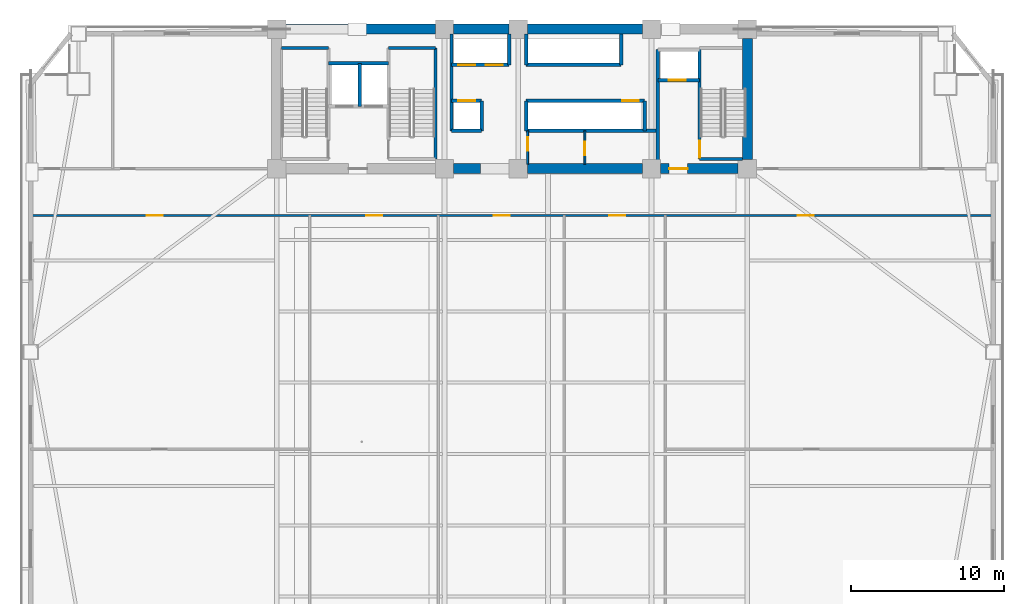
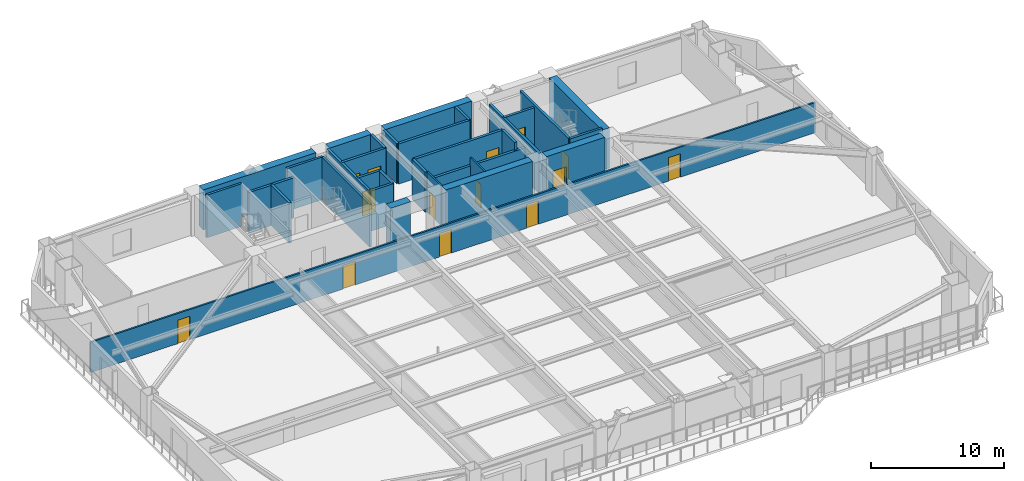
# One storey, part 11 of 18: 32 walls, 14 doors, 14 openings.
"""IFC4 building model written with IfcOpenShell, lengths in metres."""

from ifc_helpers import new_model, si_unit, direction, frame, frame_2d, origin, place, context, subcontext, project, spatial, rectangle, extrude, source, transform, mapped, material, layer, layer_set, type_object, element, fill, save


model = new_model("IFC4")

# Units and contexts
model_context = context("Model", 3, precision=1e-05, world=origin(), true_north=direction((0.0, 1.0)))
body_context = subcontext(model_context, "Body", "Model", "MODEL_VIEW")
ifc_project = project(units=[si_unit("LENGTHUNIT", "METRE"), si_unit("AREAUNIT", "SQUARE_METRE"), si_unit("VOLUMEUNIT", "CUBIC_METRE"), si_unit("PLANEANGLEUNIT", "RADIAN"), si_unit("MASSUNIT", "GRAM", prefix="KILO")], contexts=[model_context])

# Site, building, storey
site_placement = place(None, origin())
site = spatial("IfcSite", under=ifc_project, at=site_placement, CompositionType="ELEMENT")
building_placement = place(site_placement, origin())
building = spatial("IfcBuilding", under=site, at=building_placement, Name="Giltprow Tower", CompositionType="ELEMENT")
storey_placement = place(building_placement, frame((0.0, 0.0, 61.10009765625)))
storey = spatial("IfcBuildingStorey", under=building, at=storey_placement, Name="L15", CompositionType="ELEMENT", Elevation=61.10009765625)

# Wall, openings, doors
ifc_material_1 = material(Name="Gypsum stud partition", Category="gypsum")
ifc_layer_1 = layer(ifc_material_1, 0.14990234375, Name="Gypsum stud partition")
ifc_layer_set_1 = layer_set([ifc_layer_1], Name="Gypsum stud partition")
wall_type_1 = type_object("IfcWallType", Name="IW-CORR-150", PredefinedType="PARTITIONING", material=ifc_layer_set_1)
wall_1_placement = place(storey_placement, frame((3.804931640625, 34.39990234375, 0.0), z_axis=(0.0, 0.0, 1.0), x_axis=(1.0, 0.0, 0.0)))
wall_1 = element("IfcWall", 1, at=wall_1_placement, inside=storey, type_object=wall_type_1, Name="L15 Office Loop Corridor Wall", PredefinedType="PARTITIONING", context=body_context, shape_type="SweptSolid", body=[
    extrude(rectangle(XDim=62.791015625, YDim=0.14990234375, at=frame_2d((31.3955078125, 0.0))), origin(), (0.0, 0.0, 1.0), 2.764892578125),
])
opening_1_placement = place(wall_1_placement, frame((7.56396484375, 0.0, 0.0)))
opening_1 = element("IfcOpeningElement", 2, at=opening_1_placement, cuts=wall_1, Name="Opening ID31", PredefinedType="OPENING", context=body_context, shape_type="SweptSolid", body=[
    extrude(rectangle(XDim=1.050048828125, YDim=2.14990234375, at=frame_2d((0.52490234375, 1.074951171875))), frame((0.0, 0.0849609375, 0.0), z_axis=(0.0, -1.0, 0.0), x_axis=(1.0, 0.0, 0.0)), (0.0, 0.0, 1.0), 0.169921875),
])
opening_2_placement = place(wall_1_placement, frame((21.885986328125, 0.0, 0.0)))
opening_2 = element("IfcOpeningElement", 3, at=opening_2_placement, cuts=wall_1, Name="Opening ID31", PredefinedType="OPENING", context=body_context, shape_type="SweptSolid", body=[
    extrude(rectangle(XDim=1.050048828125, YDim=2.14990234375, at=frame_2d((0.52490234375, 1.074951171875))), frame((0.0, 0.0849609375, 0.0), z_axis=(0.0, -1.0, 0.0), x_axis=(1.0, 0.0, 0.0)), (0.0, 0.0, 1.0), 0.169921875),
])
opening_3_placement = place(wall_1_placement, frame((30.201904296875, 0.0, 0.0)))
opening_3 = element("IfcOpeningElement", 4, at=opening_3_placement, cuts=wall_1, Name="Opening ID31", PredefinedType="OPENING", context=body_context, shape_type="SweptSolid", body=[
    extrude(rectangle(XDim=1.050048828125, YDim=2.14990234375, at=frame_2d((0.52490234375, 1.074951171875))), frame((0.0, 0.0849609375, 0.0), z_axis=(0.0, -1.0, 0.0), x_axis=(1.0, 0.0, 0.0)), (0.0, 0.0, 1.0), 0.169921875),
])
opening_4_placement = place(wall_1_placement, frame((37.72998046875, 0.0, 0.0)))
opening_4 = element("IfcOpeningElement", 5, at=opening_4_placement, cuts=wall_1, Name="Opening ID31", PredefinedType="OPENING", context=body_context, shape_type="SweptSolid", body=[
    extrude(rectangle(XDim=1.050048828125, YDim=2.14990234375, at=frame_2d((0.52490234375, 1.074951171875))), frame((0.0, 0.0849609375, 0.0), z_axis=(0.0, -1.0, 0.0), x_axis=(1.0, 0.0, 0.0)), (0.0, 0.0, 1.0), 0.169921875),
])
opening_5_placement = place(wall_1_placement, frame((50.0390625, 0.0, 0.0)))
opening_5 = element("IfcOpeningElement", 6, at=opening_5_placement, cuts=wall_1, Name="Opening ID31", PredefinedType="OPENING", context=body_context, shape_type="SweptSolid", body=[
    extrude(rectangle(XDim=1.050048828125, YDim=2.14990234375, at=frame_2d((0.52490234375, 1.074951171875))), frame((0.0, 0.0849609375, 0.0), z_axis=(0.0, -1.0, 0.0), x_axis=(1.0, 0.0, 0.0)), (0.0, 0.0, 1.0), 0.169921875),
])
ifc_material_2 = material(Name="Engineered timber", Category="wood")
door_type_1 = type_object("IfcDoorType", Name="DR-SUITE-1050", OperationType="SINGLE_SWING_LEFT", PredefinedType="DOOR", material=ifc_material_2)
shared_shape_1 = source(origin(), body_context, "Body", "SweptSolid", [
    extrude(rectangle(XDim=1.050048828125, YDim=2.14990234375, at=frame_2d((0.52490234375, 1.074951171875))), frame((0.0, 0.02490234375, 0.0), z_axis=(0.0, -1.0, 0.0), x_axis=(1.0, 0.0, 0.0)), (0.0, 0.0, 1.0), 0.050048828125),
])
door_1_placement = place(opening_1_placement, origin())
door_1 = element("IfcDoor", 7, at=door_1_placement, inside=storey, type_object=door_type_1, Name="L15 Suite Reception Foyer Door", OperationType="SINGLE_SWING_RIGHT", OverallHeight=2.14990234375, OverallWidth=1.050048828125, PredefinedType="DOOR", context=body_context, shape_type="MappedRepresentation", body=[
    mapped(shared_shape_1, transform((0.0, 0.0, 0.0), x_axis=(1.0, 0.0, 0.0), y_axis=(0.0, 1.0, 0.0), z_axis=(0.0, 0.0, 1.0), scale=1.0)),
])
fill(opening_1, door_1)
door_2_placement = place(opening_2_placement, origin())
door_2 = element("IfcDoor", 8, at=door_2_placement, inside=storey, type_object=door_type_1, Name="L15 Brand Gallery Shop 2 Door", OperationType="SINGLE_SWING_RIGHT", OverallHeight=2.14990234375, OverallWidth=1.050048828125, PredefinedType="DOOR", context=body_context, shape_type="MappedRepresentation", body=[
    mapped(shared_shape_1, transform((0.0, 0.0, 0.0), x_axis=(1.0, 0.0, 0.0), y_axis=(0.0, 1.0, 0.0), z_axis=(0.0, 0.0, 1.0), scale=1.0)),
])
fill(opening_2, door_2)
door_3_placement = place(opening_3_placement, origin())
door_3 = element("IfcDoor", 9, at=door_3_placement, inside=storey, type_object=door_type_1, Name="L15 Watches Boutique Shop 3 Door", OperationType="SINGLE_SWING_LEFT", OverallHeight=2.14990234375, OverallWidth=1.050048828125, PredefinedType="DOOR", context=body_context, shape_type="MappedRepresentation", body=[
    mapped(shared_shape_1, transform((0.0, 0.0, 0.0), x_axis=(1.0, 0.0, 0.0), y_axis=(0.0, 1.0, 0.0), z_axis=(0.0, 0.0, 1.0), scale=1.0)),
])
fill(opening_3, door_3)
door_4_placement = place(opening_4_placement, origin())
door_4 = element("IfcDoor", 10, at=door_4_placement, inside=storey, type_object=door_type_1, Name="L15 Apparel Showroom Shop 4 Door", OperationType="SINGLE_SWING_RIGHT", OverallHeight=2.14990234375, OverallWidth=1.050048828125, PredefinedType="DOOR", context=body_context, shape_type="MappedRepresentation", body=[
    mapped(shared_shape_1, transform((0.0, 0.0, 0.0), x_axis=(1.0, 0.0, 0.0), y_axis=(0.0, 1.0, 0.0), z_axis=(0.0, 0.0, 1.0), scale=1.0)),
])
fill(opening_4, door_4)
door_5_placement = place(opening_5_placement, origin())
door_5 = element("IfcDoor", 11, at=door_5_placement, inside=storey, type_object=door_type_1, Name="L15 Suite Reception Foyer Door", OperationType="SINGLE_SWING_LEFT", OverallHeight=2.14990234375, OverallWidth=1.050048828125, PredefinedType="DOOR", context=body_context, shape_type="MappedRepresentation", body=[
    mapped(shared_shape_1, transform((0.0, 0.0, 0.0), x_axis=(1.0, 0.0, 0.0), y_axis=(0.0, 1.0, 0.0), z_axis=(0.0, 0.0, 1.0), scale=1.0)),
])
fill(opening_5, door_5)

# Walls
ifc_material_3 = material(Name="Concrete C40", Category="concrete")
ifc_layer_2 = layer(ifc_material_3, 0.219970703125, Name="Concrete C40")
ifc_layer_set_2 = layer_set([ifc_layer_2], Name="Concrete C40")
wall_type_2 = type_object("IfcWallType", Name="IW-SHAFT-220", PredefinedType="SOLIDWALL", material=ifc_layer_set_2)
wall_2_placement = place(storey_placement, frame((25.260009765625, 41.52001953125, 0.0), z_axis=(0.0, 0.0, 1.0), x_axis=(0.0, 1.0, 0.0)))
element("IfcWall", 12, at=wall_2_placement, inside=storey, type_object=wall_type_2, Name="L15 FFL1-SVL1 Shaft Divider", PredefinedType="SOLIDWALL", context=body_context, shape_type="SweptSolid", body=[
    extrude(rectangle(XDim=2.800048828125, YDim=0.219970703125, at=frame_2d((1.39990234375, 0.0))), origin(), (0.0, 0.0, 1.0), 3.679931640625),
])
wall_3_placement = place(storey_placement, frame((23.219970703125, 44.320068359375, 0.0), z_axis=(0.0, 0.0, 1.0), x_axis=(1.0, 0.0, 0.0)))
element("IfcWall", 13, at=wall_3_placement, inside=storey, type_object=wall_type_2, Name="L15 FFL1-SVL1 Back Shaft Wall", PredefinedType="SOLIDWALL", context=body_context, shape_type="SweptSolid", body=[
    extrude(rectangle(XDim=3.919921875, YDim=0.219970703125, at=frame_2d((1.9599609375, 0.0))), origin(), (0.0, 0.0, 1.0), 3.679931640625),
])

# Wall, opening, door
wall_4_placement = place(storey_placement, frame((44.719970703125, 43.219970703125, 0.0), z_axis=(0.0, 0.0, 1.0), x_axis=(1.0, 0.0, 0.0)))
wall_4 = element("IfcWall", 14, at=wall_4_placement, inside=storey, type_object=wall_type_2, Name="L15 FFL2 Front Shaft Wall", PredefinedType="SOLIDWALL", context=body_context, shape_type="SweptSolid", body=[
    extrude(rectangle(XDim=2.719970703125, YDim=0.219970703125, at=frame_2d((1.35986328125, 0.0))), origin(), (0.0, 0.0, 1.0), 3.679931640625),
])
opening_6_placement = place(wall_4_placement, frame((0.699951171875, 0.0, 0.0)))
opening_6 = element("IfcOpeningElement", 15, at=opening_6_placement, cuts=wall_4, Name="Opening LD-11", PredefinedType="OPENING", context=body_context, shape_type="SweptSolid", body=[
    extrude(rectangle(XDim=1.10009765625, YDim=2.199951171875, at=frame_2d((0.550048828125, 1.10009765625))), frame((0.0, 0.119873046875, 0.0), z_axis=(0.0, -1.0, 0.0), x_axis=(1.0, 0.0, 0.0)), (0.0, 0.0, 1.0), 0.239990234375),
])
ifc_material_4 = material(Name="Stainless steel", Category="steel")
door_type_2 = type_object("IfcDoorType", Name="DR-LIFT-LD1100", OperationType="SLIDING_TO_LEFT", PredefinedType="DOOR", material=ifc_material_4)
shared_shape_2 = source(origin(), body_context, "Body", "SweptSolid", [
    extrude(rectangle(XDim=1.10009765625, YDim=2.199951171875, at=frame_2d((0.550048828125, 1.10009765625))), frame((0.0, 0.02490234375, 0.0), z_axis=(0.0, -1.0, 0.0), x_axis=(1.0, 0.0, 0.0)), (0.0, 0.0, 1.0), 0.050048828125),
])
door_6_placement = place(opening_6_placement, origin())
door_6 = element("IfcDoor", 16, at=door_6_placement, inside=storey, type_object=door_type_2, Name="L15 FFL2 Landing Door", OperationType="SLIDING_TO_LEFT", OverallHeight=2.199951171875, OverallWidth=1.10009765625, PredefinedType="DOOR", context=body_context, shape_type="MappedRepresentation", body=[
    mapped(shared_shape_2, transform((0.0, 0.0, 0.0), x_axis=(1.0, 0.0, 0.0), y_axis=(0.0, 1.0, 0.0), z_axis=(0.0, 0.0, 1.0), scale=1.0)),
])
fill(opening_6, door_6)

# Wall
wall_5_placement = place(storey_placement, frame((44.719970703125, 37.7548828125, 0.0), z_axis=(0.0, 0.0, 1.0), x_axis=(0.0, 1.0, 0.0)))
element("IfcWall", 17, at=wall_5_placement, inside=storey, type_object=wall_type_2, Name="L15 East Firefighting Lobby West Wall", PredefinedType="SOLIDWALL", context=body_context, shape_type="SweptSolid", body=[
    extrude(rectangle(XDim=7.465087890625, YDim=0.219970703125, at=frame_2d((3.732421875, 0.0))), origin(), (0.0, 0.0, 1.0), 3.679931640625),
])

# Wall, openings, doors
wall_6_placement = place(storey_placement, frame((31.25, 44.219970703125, 0.0), z_axis=(0.0, 0.0, 1.0), x_axis=(1.0, 0.0, 0.0)))
wall_6 = element("IfcWall", 18, at=wall_6_placement, inside=storey, type_object=wall_type_2, Name="L15 North West Lift Shaft Front Wall", PredefinedType="SOLIDWALL", context=body_context, shape_type="SweptSolid", body=[
    extrude(rectangle(XDim=3.77001953125, YDim=0.219970703125, at=frame_2d((1.885009765625, 0.0))), origin(), (0.0, 0.0, 1.0), 3.679931640625),
])
opening_7_placement = place(wall_6_placement, frame((0.4599609375, 0.0, 0.0)))
opening_7 = element("IfcOpeningElement", 19, at=opening_7_placement, cuts=wall_6, Name="Opening LD-11", PredefinedType="OPENING", context=body_context, shape_type="SweptSolid", body=[
    extrude(rectangle(XDim=1.10009765625, YDim=2.199951171875, at=frame_2d((0.550048828125, 1.10009765625))), frame((0.0, 0.119873046875, 0.0), z_axis=(0.0, -1.0, 0.0), x_axis=(1.0, 0.0, 0.0)), (0.0, 0.0, 1.0), 0.239990234375),
])
opening_8_placement = place(wall_6_placement, frame((2.239990234375, 0.0, 0.0)))
opening_8 = element("IfcOpeningElement", 20, at=opening_8_placement, cuts=wall_6, Name="Opening LD-11", PredefinedType="OPENING", context=body_context, shape_type="SweptSolid", body=[
    extrude(rectangle(XDim=1.10009765625, YDim=2.199951171875, at=frame_2d((0.550048828125, 1.10009765625))), frame((0.0, 0.119873046875, 0.0), z_axis=(0.0, -1.0, 0.0), x_axis=(1.0, 0.0, 0.0)), (0.0, 0.0, 1.0), 0.239990234375),
])
door_7_placement = place(opening_7_placement, origin())
door_7 = element("IfcDoor", 21, at=door_7_placement, inside=storey, type_object=door_type_2, Name="L15 PL-L1 Landing Door", OperationType="SLIDING_TO_LEFT", OverallHeight=2.199951171875, OverallWidth=1.10009765625, PredefinedType="DOOR", context=body_context, shape_type="MappedRepresentation", body=[
    mapped(shared_shape_2, transform((0.0, 0.0, 0.0), x_axis=(1.0, 0.0, 0.0), y_axis=(0.0, 1.0, 0.0), z_axis=(0.0, 0.0, 1.0), scale=1.0)),
])
fill(opening_7, door_7)
door_8_placement = place(opening_8_placement, origin())
door_8 = element("IfcDoor", 22, at=door_8_placement, inside=storey, type_object=door_type_2, Name="L15 PL-L2 Landing Door", OperationType="SLIDING_TO_LEFT", OverallHeight=2.199951171875, OverallWidth=1.10009765625, PredefinedType="DOOR", context=body_context, shape_type="MappedRepresentation", body=[
    mapped(shared_shape_2, transform((0.0, 0.0, 0.0), x_axis=(1.0, 0.0, 0.0), y_axis=(0.0, 1.0, 0.0), z_axis=(0.0, 0.0, 1.0), scale=1.0)),
])
fill(opening_8, door_8)

# Walls
wall_7_placement = place(storey_placement, frame((36.1201171875, 44.219970703125, 0.0), z_axis=(0.0, 0.0, 1.0), x_axis=(1.0, 0.0, 0.0)))
element("IfcWall", 23, at=wall_7_placement, inside=storey, type_object=wall_type_2, Name="L15 North East Lift Shaft Front Wall", PredefinedType="SOLIDWALL", context=body_context, shape_type="SweptSolid", body=[
    extrude(rectangle(XDim=6.199951171875, YDim=0.219970703125, at=frame_2d((3.10009765625, 0.0))), origin(), (0.0, 0.0, 1.0), 3.679931640625),
])
for number, where, z_axis, x_axis, name in (
    (24, (35.02001953125, 44.219970703125, 0.0), (0.0, 0.0, 1.0), (0.0, 1.0, 0.0), "L15 North West Lift Shaft East Closure"),
    (25, (36.1201171875, 44.219970703125, 0.0), (0.0, 0.0, 1.0), (0.0, 1.0, 0.0), "L15 North East Lift Shaft West Closure"),
    (26, (42.320068359375, 44.219970703125, 0.0), (0.0, 0.0, 1.0), (0.0, 1.0, 0.0), "L15 North East Lift Shaft East Closure"),
):
    element("IfcWall", number, at=place(storey_placement, frame(where, z_axis=z_axis, x_axis=x_axis)), inside=storey, type_object=wall_type_2, Name=name, PredefinedType="SOLIDWALL", context=body_context, shape_type="SweptSolid", body=[
        extrude(rectangle(XDim=2.025146484375, YDim=0.219970703125, at=frame_2d((1.0126953125, 0.0))), origin(), (0.0, 0.0, 1.0), 3.679931640625),
    ])

# Wall, opening, door
wall_8_placement = place(storey_placement, frame((31.25, 41.8798828125, 0.0), z_axis=(0.0, 0.0, 1.0), x_axis=(1.0, 0.0, 0.0)))
wall_8 = element("IfcWall", 27, at=wall_8_placement, inside=storey, type_object=wall_type_2, Name="L15 South West Lift Shaft Front Wall", PredefinedType="SOLIDWALL", context=body_context, shape_type="SweptSolid", body=[
    extrude(rectangle(XDim=1.969970703125, YDim=0.219970703125, at=frame_2d((0.98486328125, 0.0))), origin(), (0.0, 0.0, 1.0), 3.679931640625),
])
opening_9_placement = place(wall_8_placement, frame((0.4599609375, 0.0, 0.0)))
opening_9 = element("IfcOpeningElement", 28, at=opening_9_placement, cuts=wall_8, Name="Opening LD-11", PredefinedType="OPENING", context=body_context, shape_type="SweptSolid", body=[
    extrude(rectangle(XDim=1.10009765625, YDim=2.199951171875, at=frame_2d((0.550048828125, 1.10009765625))), frame((0.0, 0.119873046875, 0.0), z_axis=(0.0, -1.0, 0.0), x_axis=(1.0, 0.0, 0.0)), (0.0, 0.0, 1.0), 0.239990234375),
])
door_9_placement = place(opening_9_placement, origin())
door_9 = element("IfcDoor", 29, at=door_9_placement, inside=storey, type_object=door_type_2, Name="L15 PL-L3 Landing Door", OperationType="SLIDING_TO_LEFT", OverallHeight=2.199951171875, OverallWidth=1.10009765625, PredefinedType="DOOR", context=body_context, shape_type="MappedRepresentation", body=[
    mapped(shared_shape_2, transform((0.0, 0.0, 0.0), x_axis=(1.0, 0.0, 0.0), y_axis=(0.0, 1.0, 0.0), z_axis=(0.0, 0.0, 1.0), scale=1.0)),
])
fill(opening_9, door_9)

wall_9_placement = place(storey_placement, frame((36.1201171875, 41.8798828125, 0.0), z_axis=(0.0, 0.0, 1.0), x_axis=(1.0, 0.0, 0.0)))
wall_9 = element("IfcWall", 30, at=wall_9_placement, inside=storey, type_object=wall_type_2, Name="L15 South East Lift Shaft Front Wall", PredefinedType="SOLIDWALL", context=body_context, shape_type="SweptSolid", body=[
    extrude(rectangle(XDim=7.72998046875, YDim=0.219970703125, at=frame_2d((3.864990234375, 0.0))), origin(), (0.0, 0.0, 1.0), 3.679931640625),
])
opening_10_placement = place(wall_9_placement, frame((6.260009765625, 0.0, 0.0)))
opening_10 = element("IfcOpeningElement", 31, at=opening_10_placement, cuts=wall_9, Name="Opening LD-11", PredefinedType="OPENING", context=body_context, shape_type="SweptSolid", body=[
    extrude(rectangle(XDim=1.10009765625, YDim=2.199951171875, at=frame_2d((0.550048828125, 1.10009765625))), frame((0.0, 0.119873046875, 0.0), z_axis=(0.0, -1.0, 0.0), x_axis=(1.0, 0.0, 0.0)), (0.0, 0.0, 1.0), 0.239990234375),
])
door_10_placement = place(opening_10_placement, origin())
door_10 = element("IfcDoor", 32, at=door_10_placement, inside=storey, type_object=door_type_2, Name="L15 PL-L4 Landing Door", OperationType="SLIDING_TO_LEFT", OverallHeight=2.199951171875, OverallWidth=1.10009765625, PredefinedType="DOOR", context=body_context, shape_type="MappedRepresentation", body=[
    mapped(shared_shape_2, transform((0.0, 0.0, 0.0), x_axis=(1.0, 0.0, 0.0), y_axis=(0.0, 1.0, 0.0), z_axis=(0.0, 0.0, 1.0), scale=1.0)),
])
fill(opening_10, door_10)

# Walls
wall_10_placement = place(storey_placement, frame((31.25, 39.919921875, 0.0), z_axis=(0.0, 0.0, 1.0), x_axis=(1.0, 0.0, 0.0)))
element("IfcWall", 33, at=wall_10_placement, inside=storey, type_object=wall_type_2, Name="L15 Low-Rise South Lift Back Wall", PredefinedType="SOLIDWALL", context=body_context, shape_type="SweptSolid", body=[
    extrude(rectangle(XDim=1.969970703125, YDim=0.219970703125, at=frame_2d((0.98486328125, 0.0))), origin(), (0.0, 0.0, 1.0), 3.679931640625),
])
wall_11_placement = place(storey_placement, frame((33.219970703125, 39.919921875, 0.0), z_axis=(0.0, 0.0, 1.0), x_axis=(0.0, 1.0, 0.0)))
element("IfcWall", 34, at=wall_11_placement, inside=storey, type_object=wall_type_2, Name="L15 Low-Rise South Lift East Closure", PredefinedType="SOLIDWALL", context=body_context, shape_type="SweptSolid", body=[
    extrude(rectangle(XDim=1.9599609375, YDim=0.219970703125, at=frame_2d((0.97998046875, 0.0))), origin(), (0.0, 0.0, 1.0), 3.679931640625),
])
wall_12_placement = place(storey_placement, frame((36.1201171875, 39.919921875, 0.0), z_axis=(0.0, 0.0, 1.0), x_axis=(1.0, 0.0, 0.0)))
element("IfcWall", 35, at=wall_12_placement, inside=storey, type_object=wall_type_2, Name="L15 Express South Shaft Back Wall", PredefinedType="SOLIDWALL", context=body_context, shape_type="SweptSolid", body=[
    extrude(rectangle(XDim=8.599853515625, YDim=0.219970703125, at=frame_2d((4.2998046875, 0.0))), origin(), (0.0, 0.0, 1.0), 2.96484375),
])
wall_13_placement = place(storey_placement, frame((36.1201171875, 39.919921875, 0.0), z_axis=(0.0, 0.0, 1.0), x_axis=(0.0, 1.0, 0.0)))
element("IfcWall", 36, at=wall_13_placement, inside=storey, type_object=wall_type_2, Name="L15 Express South Shaft West Closure", PredefinedType="SOLIDWALL", context=body_context, shape_type="SweptSolid", body=[
    extrude(rectangle(XDim=1.9599609375, YDim=0.219970703125, at=frame_2d((0.97998046875, 0.0))), origin(), (0.0, 0.0, 1.0), 3.679931640625),
])
wall_14_placement = place(storey_placement, frame((31.25, 39.919921875, 0.0), z_axis=(0.0, 0.0, 1.0), x_axis=(0.0, 1.0, 0.0)))
element("IfcWall", 37, at=wall_14_placement, inside=storey, type_object=wall_type_2, Name="L15 Lift Bank West Closure", PredefinedType="SOLIDWALL", context=body_context, shape_type="SweptSolid", body=[
    extrude(rectangle(XDim=6.3251953125, YDim=0.219970703125, at=frame_2d((3.16259765625, 0.0))), origin(), (0.0, 0.0, 1.0), 3.679931640625),
])
wall_15_placement = place(storey_placement, frame((43.85009765625, 39.919921875, 0.0), z_axis=(0.0, 0.0, 1.0), x_axis=(0.0, 1.0, 0.0)))
element("IfcWall", 38, at=wall_15_placement, inside=storey, type_object=wall_type_2, Name="L15 Lift Bank South-East Closure", PredefinedType="SOLIDWALL", context=body_context, shape_type="SweptSolid", body=[
    extrude(rectangle(XDim=1.9599609375, YDim=0.219970703125, at=frame_2d((0.97998046875, 0.0))), origin(), (0.0, 0.0, 1.0), 3.679931640625),
])
ifc_layer_3 = layer(ifc_material_3, 0.199951171875, Name="Concrete C40")
ifc_layer_set_3 = layer_set([ifc_layer_3], Name="Concrete C40")
wall_type_3 = type_object("IfcWallType", Name="IW-STAIR-200", PredefinedType="SOLIDWALL", material=ifc_layer_set_3)
wall_16_placement = place(storey_placement, frame((20.169921875, 45.320068359375, 0.0), z_axis=(0.0, 0.0, 1.0), x_axis=(1.0, 0.0, 0.0)))
element("IfcWall", 39, at=wall_16_placement, inside=storey, type_object=wall_type_3, Name="L15 Stair ST-1 North Bearing Wall", PredefinedType="SOLIDWALL", context=body_context, shape_type="SweptSolid", body=[
    extrude(rectangle(XDim=3.050048828125, YDim=0.199951171875, at=frame_2d((1.52490234375, 0.0))), origin(), (0.0, 0.0, 1.0), 3.89990234375),
])
wall_17_placement = place(storey_placement, frame((30.219970703125, 38.070068359375, 0.0), z_axis=(0.0, 0.0, 1.0), x_axis=(0.0, 1.0, 0.0)))
element("IfcWall", 40, at=wall_17_placement, inside=storey, type_object=wall_type_3, Name="L15 Stair ST-2 East Bearing Wall", PredefinedType="SOLIDWALL", context=body_context, shape_type="SweptSolid", body=[
    extrude(rectangle(XDim=7.25, YDim=0.199951171875, at=frame_2d((3.625, 0.0))), origin(), (0.0, 0.0, 1.0), 3.89990234375),
])
wall_18_placement = place(storey_placement, frame((27.139892578125, 45.320068359375, 0.0), z_axis=(0.0, 0.0, 1.0), x_axis=(1.0, 0.0, 0.0)))
element("IfcWall", 41, at=wall_18_placement, inside=storey, type_object=wall_type_3, Name="L15 Stair ST-2 North Bearing Wall", PredefinedType="SOLIDWALL", context=body_context, shape_type="SweptSolid", body=[
    extrude(rectangle(XDim=3.080078125, YDim=0.199951171875, at=frame_2d((1.5400390625, 0.0))), origin(), (0.0, 0.0, 1.0), 3.89990234375),
])

# Wall, opening, door
wall_19_placement = place(storey_placement, frame((47.43994140625, 38.070068359375, 0.0), z_axis=(0.0, 0.0, 1.0), x_axis=(0.0, 1.0, 0.0)))
wall_19 = element("IfcWall", 42, at=wall_19_placement, inside=storey, type_object=wall_type_3, Name="L15 Stair ST-3 West Bearing Wall", PredefinedType="SOLIDWALL", context=body_context, shape_type="SweptSolid", body=[
    extrude(rectangle(XDim=7.25, YDim=0.199951171875, at=frame_2d((3.625, 0.0))), origin(), (0.0, 0.0, 1.0), 3.89990234375),
])
opening_11_placement = place(wall_19_placement, frame((0.110107421875, 0.0, 0.0)))
opening_11 = element("IfcOpeningElement", 43, at=opening_11_placement, cuts=wall_19, Name="Opening ID33", PredefinedType="OPENING", context=body_context, shape_type="SweptSolid", body=[
    extrude(rectangle(XDim=1.10009765625, YDim=2.14990234375, at=frame_2d((0.550048828125, 1.074951171875))), frame((0.0, 0.10986328125, 0.0), z_axis=(0.0, -1.0, 0.0), x_axis=(1.0, 0.0, 0.0)), (0.0, 0.0, 1.0), 0.219970703125),
])
ifc_material_5 = material(Name="Steel fire leaf", Category="steel")
door_type_3 = type_object("IfcDoorType", Name="DR-STAIR-1100", OperationType="SINGLE_SWING_LEFT", PredefinedType="DOOR", material=ifc_material_5)
shared_shape_3 = source(origin(), body_context, "Body", "SweptSolid", [
    extrude(rectangle(XDim=1.10009765625, YDim=2.14990234375, at=frame_2d((0.550048828125, 1.074951171875))), frame((0.0, 0.02490234375, 0.0), z_axis=(0.0, -1.0, 0.0), x_axis=(1.0, 0.0, 0.0)), (0.0, 0.0, 1.0), 0.050048828125),
])
door_11_placement = place(opening_11_placement, origin())
door_11 = element("IfcDoor", 44, at=door_11_placement, inside=storey, type_object=door_type_3, Name="L15 Stair ST-3 Fire Door", OperationType="SINGLE_SWING_LEFT", OverallHeight=2.14990234375, OverallWidth=1.10009765625, PredefinedType="DOOR", context=body_context, shape_type="MappedRepresentation", body=[
    mapped(shared_shape_3, transform((0.0, 0.0, 0.0), x_axis=(1.0, 0.0, 0.0), y_axis=(0.0, 1.0, 0.0), z_axis=(0.0, 0.0, 1.0), scale=1.0)),
])
fill(opening_11, door_11)

# Wall
wall_20_placement = place(storey_placement, frame((47.43994140625, 38.070068359375, 0.0), z_axis=(0.0, 0.0, 1.0), x_axis=(1.0, 0.0, 0.0)))
element("IfcWall", 45, at=wall_20_placement, inside=storey, type_object=wall_type_3, Name="L15 Stair ST-3 South Bearing Wall", PredefinedType="SOLIDWALL", context=body_context, shape_type="SweptSolid", body=[
    extrude(rectangle(XDim=2.80517578125, YDim=0.199951171875, at=frame_2d((1.402587890625, 0.0))), origin(), (0.0, 0.0, 1.0), 3.89990234375),
])

# Wall, opening, door
ifc_material_6 = material(Name="Concrete C30", Category="concrete")
ifc_layer_4 = layer(ifc_material_6, 0.1298828125, Name="Concrete C30")
ifc_layer_set_4 = layer_set([ifc_layer_4], Name="Concrete C30")
wall_type_4 = type_object("IfcWallType", Name="IW-WET-130", PredefinedType="PARTITIONING", material=ifc_layer_set_4)
wall_21_placement = place(storey_placement, frame((36.219970703125, 37.7548828125, 0.0), z_axis=(0.0, 0.0, 1.0), x_axis=(0.0, 1.0, 0.0)))
wall_21 = element("IfcWall", 46, at=wall_21_placement, inside=storey, type_object=wall_type_4, Name="L15 Core Suite West Wall", PredefinedType="PARTITIONING", context=body_context, shape_type="SweptSolid", body=[
    extrude(rectangle(XDim=2.1650390625, YDim=0.1298828125, at=frame_2d((1.08251953125, 0.0))), origin(), (0.0, 0.0, 1.0), 3.679931640625),
])
opening_12_placement = place(wall_21_placement, frame((0.85498046875, 0.0, 0.0)))
opening_12 = element("IfcOpeningElement", 47, at=opening_12_placement, cuts=wall_21, Name="Opening ID35", PredefinedType="OPENING", context=body_context, shape_type="SweptSolid", body=[
    extrude(rectangle(XDim=0.89990234375, YDim=2.10009765625, at=frame_2d((0.449951171875, 1.050048828125))), frame((0.0, 0.074951171875, 0.0), z_axis=(0.0, -1.0, 0.0), x_axis=(1.0, 0.0, 0.0)), (0.0, 0.0, 1.0), 0.14990234375),
])
door_type_4 = type_object("IfcDoorType", Name="DR-SHAFT-900", OperationType="SINGLE_SWING_LEFT", PredefinedType="DOOR", material=ifc_material_5)
shared_shape_4 = source(origin(), body_context, "Body", "SweptSolid", [
    extrude(rectangle(XDim=0.89990234375, YDim=2.10009765625, at=frame_2d((0.449951171875, 1.050048828125))), frame((0.0, 0.02490234375, 0.0), z_axis=(0.0, -1.0, 0.0), x_axis=(1.0, 0.0, 0.0)), (0.0, 0.0, 1.0), 0.050048828125),
])
door_12_placement = place(opening_12_placement, origin())
door_12 = element("IfcDoor", 48, at=door_12_placement, inside=storey, type_object=door_type_4, Name="L15 Core Powder Room Door", OperationType="SINGLE_SWING_RIGHT", OverallHeight=2.10009765625, OverallWidth=0.89990234375, PredefinedType="DOOR", context=body_context, shape_type="MappedRepresentation", body=[
    mapped(shared_shape_4, transform((0.0, 0.0, 0.0), x_axis=(1.0, 0.0, 0.0), y_axis=(0.0, 1.0, 0.0), z_axis=(0.0, 0.0, 1.0), scale=1.0)),
])
fill(opening_12, door_12)

wall_22_placement = place(storey_placement, frame((39.949951171875, 37.7548828125, 0.0), z_axis=(0.0, 0.0, 1.0), x_axis=(0.0, 1.0, 0.0)))
wall_22 = element("IfcWall", 49, at=wall_22_placement, inside=storey, type_object=wall_type_4, Name="L15 Core Suite Divider", PredefinedType="PARTITIONING", context=body_context, shape_type="SweptSolid", body=[
    extrude(rectangle(XDim=2.1650390625, YDim=0.1298828125, at=frame_2d((1.08251953125, 0.0))), origin(), (0.0, 0.0, 1.0), 3.679931640625),
])
opening_13_placement = place(wall_22_placement, frame((0.56494140625, 0.0, 0.0)))
opening_13 = element("IfcOpeningElement", 50, at=opening_13_placement, cuts=wall_22, Name="Opening ID35", PredefinedType="OPENING", context=body_context, shape_type="SweptSolid", body=[
    extrude(rectangle(XDim=0.89990234375, YDim=2.10009765625, at=frame_2d((0.449951171875, 1.050048828125))), frame((0.0, 0.074951171875, 0.0), z_axis=(0.0, -1.0, 0.0), x_axis=(1.0, 0.0, 0.0)), (0.0, 0.0, 1.0), 0.14990234375),
])
door_13_placement = place(opening_13_placement, origin())
door_13 = element("IfcDoor", 51, at=door_13_placement, inside=storey, type_object=door_type_4, Name="L15 Core Pantry Closet Door", OperationType="SINGLE_SWING_LEFT", OverallHeight=2.10009765625, OverallWidth=0.89990234375, PredefinedType="DOOR", context=body_context, shape_type="MappedRepresentation", body=[
    mapped(shared_shape_4, transform((0.0, 0.0, 0.0), x_axis=(1.0, 0.0, 0.0), y_axis=(0.0, 1.0, 0.0), z_axis=(0.0, 0.0, 1.0), scale=1.0)),
])
fill(opening_13, door_13)

# Walls
ifc_material_7 = material(Name="Concrete C60", Category="concrete")
ifc_layer_5 = layer(ifc_material_7, 0.64990234375, Name="Concrete C60")
ifc_layer_set_5 = layer_set([ifc_layer_5], Name="Concrete C60")
wall_type_5 = type_object("IfcWallType", Name="SW-EXT-650-C60", PredefinedType="SHEAR", material=ifc_layer_set_5)
wall_23_placement = place(storey_placement, frame((20.449951171875, 46.550048828125, 0.0), z_axis=(0.0, 0.0, 1.0), x_axis=(1.0, 0.0, 0.0)))
element("IfcWall", 52, at=wall_23_placement, inside=storey, type_object=wall_type_5, Name="L15 North Rear Core Shear Wall 1", PredefinedType="SHEAR", context=body_context, shape_type="SweptSolid", body=[
    extrude(rectangle(XDim=9.75, YDim=0.64990234375, at=frame_2d((4.875, 0.0))), origin(), (0.0, 0.0, 1.0), 3.679931640625),
])
wall_24_placement = place(storey_placement, frame((31.39990234375, 46.550048828125, 0.0), z_axis=(0.0, 0.0, 1.0), x_axis=(1.0, 0.0, 0.0)))
element("IfcWall", 53, at=wall_24_placement, inside=storey, type_object=wall_type_5, Name="L15 North Rear Core Shear Wall 2", PredefinedType="SHEAR", context=body_context, shape_type="SweptSolid", body=[
    extrude(rectangle(XDim=3.60009765625, YDim=0.64990234375, at=frame_2d((1.800048828125, 0.0))), origin(), (0.0, 0.0, 1.0), 3.679931640625),
])
wall_25_placement = place(storey_placement, frame((36.199951171875, 46.550048828125, 0.0), z_axis=(0.0, 0.0, 1.0), x_axis=(1.0, 0.0, 0.0)))
element("IfcWall", 54, at=wall_25_placement, inside=storey, type_object=wall_type_5, Name="L15 North Rear Core Shear Wall 3", PredefinedType="SHEAR", context=body_context, shape_type="SweptSolid", body=[
    extrude(rectangle(XDim=7.5, YDim=0.64990234375, at=frame_2d((3.75, 0.0))), origin(), (0.0, 0.0, 1.0), 3.679931640625),
])
ifc_layer_6 = layer(ifc_material_7, 0.64990234375, Name="Concrete C60")
ifc_layer_set_6 = layer_set([ifc_layer_6], Name="Concrete C60")
wall_type_6 = type_object("IfcWallType", Name="SW-INT-650-C60", PredefinedType="SHEAR", material=ifc_layer_set_6)
wall_26_placement = place(storey_placement, frame((31.39990234375, 37.449951171875, 0.0), z_axis=(0.0, 0.0, 1.0), x_axis=(1.0, 0.0, 0.0)))
element("IfcWall", 55, at=wall_26_placement, inside=storey, type_object=wall_type_6, Name="L15 South Rear Core Shear Wall Mid-West", PredefinedType="SHEAR", context=body_context, shape_type="SweptSolid", body=[
    extrude(rectangle(XDim=1.75, YDim=0.64990234375, at=frame_2d((0.875, 0.0))), origin(), (0.0, 0.0, 1.0), 3.679931640625),
])
wall_27_placement = place(storey_placement, frame((36.199951171875, 37.449951171875, 0.0), z_axis=(0.0, 0.0, 1.0), x_axis=(1.0, 0.0, 0.0)))
element("IfcWall", 56, at=wall_27_placement, inside=storey, type_object=wall_type_6, Name="L15 South Rear Core Shear Wall Mid-East", PredefinedType="SHEAR", context=body_context, shape_type="SweptSolid", body=[
    extrude(rectangle(XDim=7.5, YDim=0.64990234375, at=frame_2d((3.75, 0.0))), origin(), (0.0, 0.0, 1.0), 3.679931640625),
])

# Wall, opening, door
wall_28_placement = place(storey_placement, frame((44.89990234375, 37.449951171875, 0.0), z_axis=(0.0, 0.0, 1.0), x_axis=(1.0, 0.0, 0.0)))
wall_28 = element("IfcWall", 57, at=wall_28_placement, inside=storey, type_object=wall_type_6, Name="L15 South Rear Core Shear Wall East", PredefinedType="SHEAR", context=body_context, shape_type="SweptSolid", body=[
    extrude(rectangle(XDim=5.050048828125, YDim=0.64990234375, at=frame_2d((2.52490234375, 0.0))), origin(), (0.0, 0.0, 1.0), 3.679931640625),
])
opening_14_placement = place(wall_28_placement, frame((0.550048828125, 0.0, 0.0)))
opening_14 = element("IfcOpeningElement", 58, at=opening_14_placement, cuts=wall_28, Name="Opening ID19", PredefinedType="OPENING", context=body_context, shape_type="SweptSolid", body=[
    extrude(rectangle(XDim=1.199951171875, YDim=2.14990234375, at=frame_2d((0.60009765625, 1.074951171875))), frame((0.0, 0.3349609375, 0.0), z_axis=(0.0, -1.0, 0.0), x_axis=(1.0, 0.0, 0.0)), (0.0, 0.0, 1.0), 0.669921875),
])
door_type_5 = type_object("IfcDoorType", Name="DR-FFLOBBY-1200", OperationType="SINGLE_SWING_RIGHT", PredefinedType="DOOR", material=ifc_material_5)
shared_shape_5 = source(origin(), body_context, "Body", "SweptSolid", [
    extrude(rectangle(XDim=1.199951171875, YDim=2.14990234375, at=frame_2d((0.60009765625, 1.074951171875))), frame((0.0, 0.02490234375, 0.0), z_axis=(0.0, -1.0, 0.0), x_axis=(1.0, 0.0, 0.0)), (0.0, 0.0, 1.0), 0.050048828125),
])
door_14_placement = place(opening_14_placement, origin())
door_14 = element("IfcDoor", 59, at=door_14_placement, inside=storey, type_object=door_type_5, Name="L15 East Firefighting Lobby Entry Door", OperationType="SINGLE_SWING_RIGHT", OverallHeight=2.14990234375, OverallWidth=1.199951171875, PredefinedType="DOOR", context=body_context, shape_type="MappedRepresentation", body=[
    mapped(shared_shape_5, transform((0.0, 0.0, 0.0), x_axis=(1.0, 0.0, 0.0), y_axis=(0.0, 1.0, 0.0), z_axis=(0.0, 0.0, 1.0), scale=1.0)),
])
fill(opening_14, door_14)

# Wall
wall_29_placement = place(storey_placement, frame((50.550048828125, 38.050048828125, 0.0), z_axis=(0.0, 0.0, 1.0), x_axis=(0.0, 1.0, 0.0)))
element("IfcWall", 60, at=wall_29_placement, inside=storey, type_object=wall_type_6, Name="L15 E Rear Core Shear Wall", PredefinedType="SHEAR", context=body_context, shape_type="SweptSolid", body=[
    extrude(rectangle(XDim=7.89990234375, YDim=0.64990234375, at=frame_2d((3.949951171875, 0.0))), origin(), (0.0, 0.0, 1.0), 3.679931640625),
])

save(model, "model.ifc")
